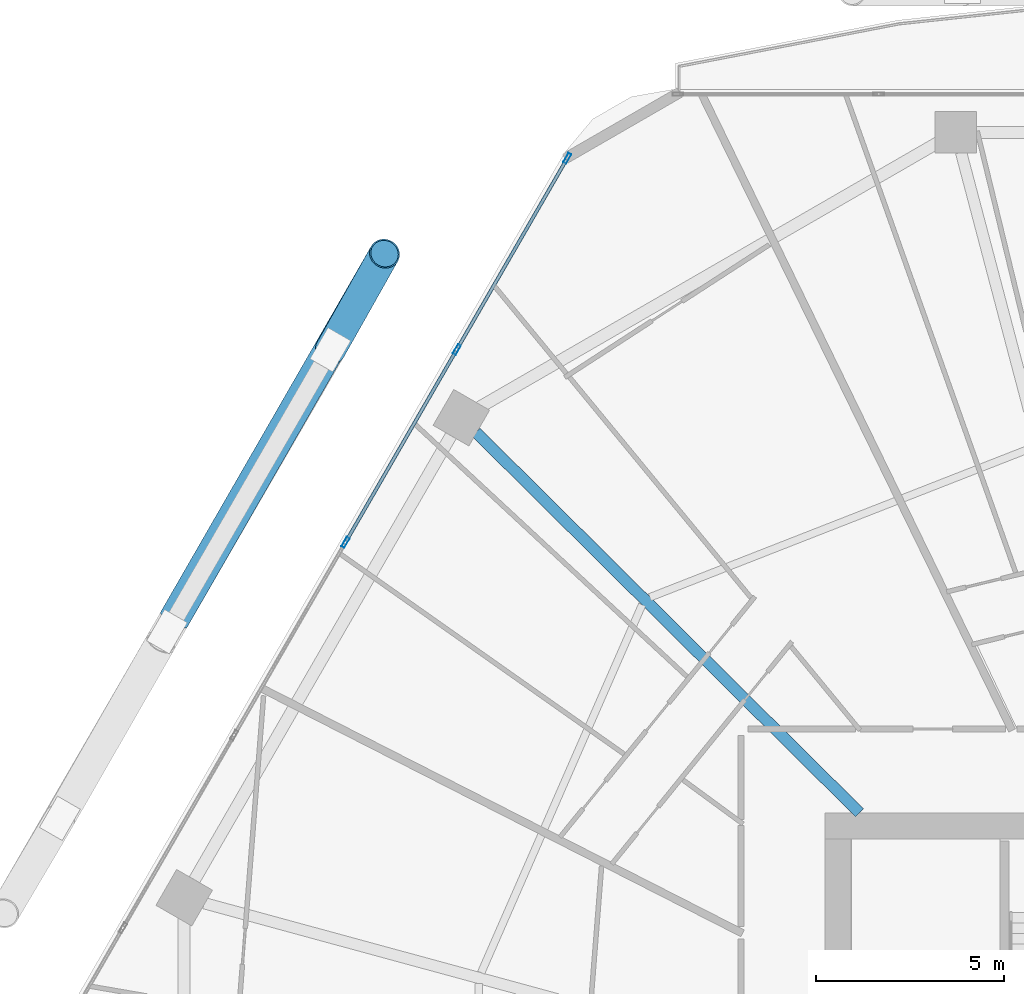
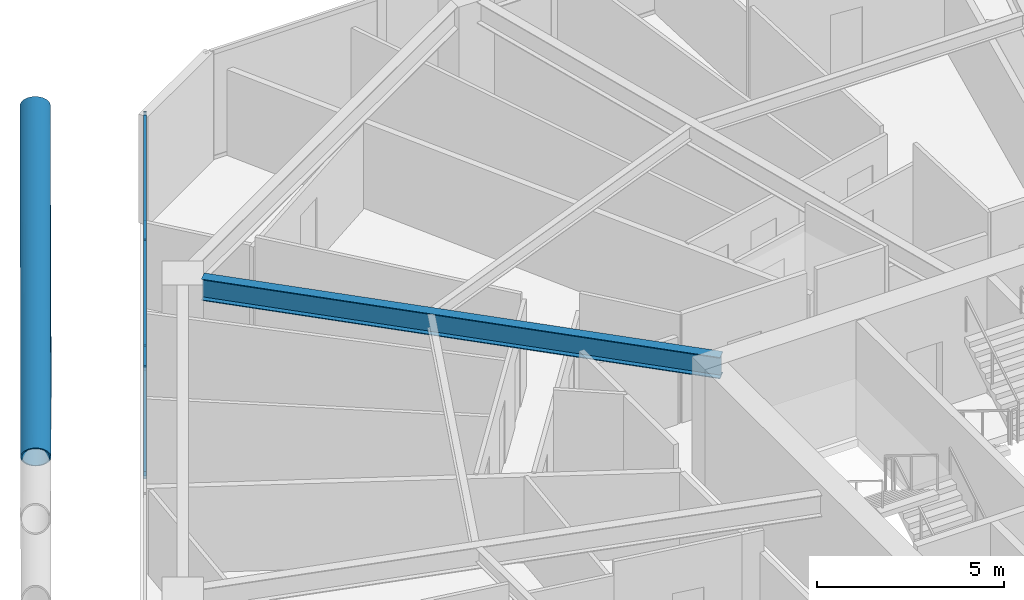
# One storey, part 16 of 35: 9 members, 1 beam, 1 element without a shape of its own.
"""IFC4 building model written with IfcOpenShell, lengths in metres."""

import ifcopenshell
import ifcopenshell.guid

model = None  # the IFC model being written
_history = None  # IfcOwnerHistory: only IFC2X3 demands one
_inside = {}  # id of a spatial element -> (the spatial element, [elements in it])
_under = {}  # id of a project, library or spatial element -> (it, [spatial elements below it])
_declared = {}  # id of a project -> (the project, [libraries it declares])
_typed = {}  # id of a type object -> (the type object, [elements of that type])
_made_of = {}  # id of a material, layer set ... -> (it, [elements and type objects made of it])


def new_model(schema):
    """Start an empty IFC model of exactly this schema.

    Asked for "IFC4X3", IfcOpenShell would pick the latest addendum, in which some entities
    have other attributes; the version numbers below select the first issue.
    IFC2X3 requires an IfcOwnerHistory on every rooted entity: one is made here for all.
    """
    global model, _history
    if schema == "IFC4X3":
        model = ifcopenshell.file(schema_version=(4, 3, 0, 0))
    else:
        model = ifcopenshell.file(schema=schema)
    _inside.clear()
    _under.clear()
    _declared.clear()
    _typed.clear()
    _made_of.clear()
    _history = None
    if model.schema == "IFC2X3":
        org = make("IfcOrganization", Name="unknown")
        user = make(
            "IfcPersonAndOrganization",
            ThePerson=make("IfcPerson", FamilyName="unknown"),
            TheOrganization=org,
        )
        app = make(
            "IfcApplication",
            ApplicationDeveloper=org,
            Version="unknown",
            ApplicationFullName="unknown",
            ApplicationIdentifier="unknown",
        )
        _history = make(
            "IfcOwnerHistory",
            OwningUser=user,
            OwningApplication=app,
            ChangeAction="ADDED",
            CreationDate=0,
        )
    return model


def make(cls, **values):
    """One entity of the class cls with the attributes given. An attribute that is None is left unset."""
    return model.create_entity(
        cls, **{name: value for name, value in values.items() if value is not None}
    )


def rooted(cls, **values):
    """An entity with a GlobalId (a new one), such as an element, a storey or a relation."""
    return make(cls, GlobalId=ifcopenshell.guid.new(), OwnerHistory=_history, **values)


def si_unit(unit_type, name, prefix=None):
    """IfcSIUnit, for example si_unit("LENGTHUNIT", "METRE", prefix="MILLI")."""
    return make("IfcSIUnit", UnitType=unit_type, Prefix=prefix, Name=name)


def assignment(units):
    """IfcUnitAssignment: the units of a project."""
    return None if units is None else make("IfcUnitAssignment", Units=units)


def point(xyz):
    """IfcCartesianPoint."""
    return None if xyz is None else make("IfcCartesianPoint", Coordinates=xyz)


def direction(xyz):
    """IfcDirection."""
    return None if xyz is None else make("IfcDirection", DirectionRatios=xyz)


def frame(location, z_axis=None, x_axis=None):
    """IfcAxis2Placement3D, a coordinate frame: its origin and axes. An axis left out is left unset."""
    return make(
        "IfcAxis2Placement3D",
        Location=point(location),
        Axis=direction(z_axis),
        RefDirection=direction(x_axis),
    )


def frame_2d(location, x_axis=None):
    """IfcAxis2Placement2D, a coordinate frame in the plane: its origin and x axis."""
    return make(
        "IfcAxis2Placement2D", Location=point(location), RefDirection=direction(x_axis)
    )


def origin():
    """The frame at (0, 0, 0) with its axes left unset."""
    return frame((0.0, 0.0, 0.0))


def origin_2d():
    """The frame at (0, 0) in the plane with its x axis left unset."""
    return frame_2d((0.0, 0.0))


def place(relative_to, where):
    """IfcLocalPlacement: puts the frame where relative to a parent placement (None: the world)."""
    return make(
        "IfcLocalPlacement", PlacementRelTo=relative_to, RelativePlacement=where
    )


def context(
    kind, dimensions, precision=None, world=None, true_north=None, identifier=None
):
    """IfcGeometricRepresentationContext, for example the 3D "Model" context."""
    return make(
        "IfcGeometricRepresentationContext",
        ContextIdentifier=identifier,
        ContextType=kind,
        CoordinateSpaceDimension=dimensions,
        Precision=precision,
        WorldCoordinateSystem=world,
        TrueNorth=true_north,
    )


def subcontext(parent, identifier, kind, view, scale=None):
    """IfcGeometricRepresentationSubContext, for example "Body" below "Model"."""
    return make(
        "IfcGeometricRepresentationSubContext",
        ContextIdentifier=identifier,
        ContextType=kind,
        ParentContext=parent,
        TargetScale=scale,
        TargetView=view,
    )


def project(units=None, contexts=None):
    """IfcProject with its units and contexts."""
    return rooted(
        "IfcProject",
        Name="project",
        RepresentationContexts=contexts,
        UnitsInContext=assignment(units),
    )


def spatial(cls, under=None, at=None, **own):
    """A site, building, storey or space (cls), placed at a placement, below another one or the project."""
    s = rooted(cls, ObjectPlacement=at, **own)
    if under is not None:
        _under.setdefault(under.id(), (under, []))[1].append(s)
    return s


def profile(cls, at=None, kind="AREA", **sizes):
    """A parametric profile (cls). Its sizes go by their IFC names, for example OverallWidth=200.0."""
    return make(cls, ProfileType=kind, Position=at, **sizes)


def hollow_rectangle(**sizes):
    """IfcRectangleHollowProfileDef."""
    return profile("IfcRectangleHollowProfileDef", **sizes)


def hollow_circle(**sizes):
    """IfcCircleHollowProfileDef."""
    return profile("IfcCircleHollowProfileDef", **sizes)


def i_section(**sizes):
    """IfcIShapeProfileDef."""
    return profile("IfcIShapeProfileDef", **sizes)


def extrude(swept, where, along, depth):
    """IfcExtrudedAreaSolid: the profile swept, set in the frame where, extruded along a direction by depth."""
    return make(
        "IfcExtrudedAreaSolid",
        SweptArea=swept,
        Position=where,
        ExtrudedDirection=direction(along),
        Depth=depth,
    )


def shape(context_of_items, identifier, shape_type, items):
    """IfcShapeRepresentation: the items that make up one representation, for example the "Body"."""
    return make(
        "IfcShapeRepresentation",
        ContextOfItems=context_of_items,
        RepresentationIdentifier=identifier,
        RepresentationType=shape_type,
        Items=items,
    )


def material(Name=None, Category=None):
    """IfcMaterial."""
    return make("IfcMaterial", Name=Name, Category=Category)


def material_profile(
    of_material, cross_section, Name=None, Category=None, Priority=None
):
    """IfcMaterialProfile: a cross section and its material."""
    return make(
        "IfcMaterialProfile",
        Name=Name,
        Material=of_material,
        Profile=cross_section,
        Priority=Priority,
        Category=Category,
    )


def profile_set(profiles, Name=None, composite=None):
    """IfcMaterialProfileSet."""
    return make(
        "IfcMaterialProfileSet",
        Name=Name,
        MaterialProfiles=profiles,
        CompositeProfile=composite,
    )


def made_of(thing, what):
    """Note that an element or type object is made of a material, layer set ...; save() writes the relation."""
    if what is not None:
        _made_of.setdefault(what.id(), (what, []))[1].append(thing)
    return thing


def type_object(cls, material=None, **own):
    """A type object (cls), such as IfcWallType, which elements share."""
    return made_of(rooted(cls, **own), material)


def element(
    cls,
    number,
    at=None,
    inside=None,
    cuts=None,
    type_object=None,
    material=None,
    context=None,
    identifier="Body",
    shape_type=None,
    held_by="IfcProductDefinitionShape",
    body=None,
    shapes=None,
    **own,
):
    """One element of the class cls, such as IfcWall. Its Tag is "e" and its number.

    at: its placement. inside: the storey or other place that contains it. cuts: it is an
    opening in that element (IfcRelVoidsElement). A single representation is given by context,
    identifier, shape_type and body (its items); several are given by shapes. held_by: the class
    of the entity that holds the representations. save() writes the other relations.
    """
    e = rooted(cls, Tag="e%d" % number, ObjectPlacement=at, **own)
    if body is not None:
        shapes = [shape(context, identifier, shape_type, body)]
    if shapes is not None:
        e.Representation = make(held_by, Representations=shapes)
    if inside is not None:
        _inside.setdefault(inside.id(), (inside, []))[1].append(e)
    if cuts is not None:
        rooted(
            "IfcRelVoidsElement", RelatingBuildingElement=cuts, RelatedOpeningElement=e
        )
    if type_object is not None:
        _typed.setdefault(type_object.id(), (type_object, []))[1].append(e)
    return made_of(e, material)


def aggregate(whole, parts):
    """IfcRelAggregates: a whole, such as a stair, and the parts it consists of."""
    return rooted("IfcRelAggregates", RelatingObject=whole, RelatedObjects=parts)


def save(model, path):
    """Write the relations noted so far, then the file.

    IfcRelAggregates (storeys below a building ...), IfcRelContainedInSpatialStructure (elements
    in a storey), IfcRelDefinesByType, IfcRelAssociatesMaterial and IfcRelDeclares: one each for
    every whole, place, type object, material and project.
    """
    for whole, parts in _under.values():
        aggregate(whole, parts)
    for where, things in _inside.values():
        rooted(
            "IfcRelContainedInSpatialStructure",
            RelatedElements=things,
            RelatingStructure=where,
        )
    for kind, things in _typed.values():
        rooted("IfcRelDefinesByType", RelatedObjects=things, RelatingType=kind)
    for what, things in _made_of.values():
        rooted("IfcRelAssociatesMaterial", RelatedObjects=things, RelatingMaterial=what)
    for by, libraries in _declared.values():
        rooted("IfcRelDeclares", RelatingContext=by, RelatedDefinitions=libraries)
    model.write(path)


model = new_model("IFC4")

# Units and contexts
model_context = context("Model", 3, precision=1e-05, world=origin(), true_north=direction((0.0, 1.0)))
body_context = subcontext(model_context, "Body", "Model", "MODEL_VIEW")
ifc_project = project(units=[si_unit("LENGTHUNIT", "METRE"), si_unit("AREAUNIT", "SQUARE_METRE"), si_unit("VOLUMEUNIT", "CUBIC_METRE"), si_unit("PLANEANGLEUNIT", "RADIAN"), si_unit("MASSUNIT", "GRAM", prefix="KILO")], contexts=[model_context])

# Site, building, storey
site_placement = place(None, origin())
site = spatial("IfcSite", under=ifc_project, at=site_placement, CompositionType="ELEMENT")
building_placement = place(site_placement, origin())
building = spatial("IfcBuilding", under=site, at=building_placement, Name="Zuhravey Tower", CompositionType="ELEMENT")
storey_placement = place(building_placement, frame((0.0, 0.0, 115.199951171875)))
storey = spatial("IfcBuildingStorey", under=building, at=storey_placement, Name="L28", CompositionType="ELEMENT", Elevation=115.199951171875)

# Curtain wall, members
ifc_material_1 = material(Name="Thermally broken anodised aluminium", Category="aluminium")
curtain_wall_type = type_object("IfcCurtainWallType", Name="Zone 1-2 Residential Curtain Wall CW3", PredefinedType="NOTDEFINED", material=ifc_material_1)
curtain_wall_placement = place(storey_placement, origin())
curtain_wall = element("IfcCurtainWall", 1, at=curtain_wall_placement, inside=storey, type_object=curtain_wall_type, Name="L28 CW3 CW-L28-F3-1", PredefinedType="NOTDEFINED")
ifc_material_2 = material(Name="Anodised aluminium", Category="aluminium")
ifc_material_profile_1 = material_profile(ifc_material_2, hollow_rectangle(XDim=0.090087890625, YDim=0.284912109375, WallThickness=0.0048828125, at=origin_2d()), Name="ALU-RHS-90x285x5")
ifc_profile_set_1 = profile_set([ifc_material_profile_1], Name="Anodised aluminium")
member_type_1 = type_object("IfcMemberType", Name="Curtain-Wall Mullion 90x180", PredefinedType="MULLION", material=ifc_profile_set_1)
member_1_placement = place(storey_placement, frame((12.401123046875, 49.04248046875, 0.0), z_axis=(0.0, 0.0, 1.0), x_axis=(-0.86602552265, 0.499999794119, 0.0)))
member_1 = element("IfcMember", 2, at=member_1_placement, type_object=member_type_1, Name="CW3 mullion 4", PredefinedType="MULLION", context=body_context, shape_type="SweptSolid", body=[
    extrude(hollow_rectangle(XDim=0.090087890625, YDim=0.284912109375, WallThickness=0.0048828125, at=origin_2d()), origin(), (0.0, 0.0, 1.0), 3.550048828125),
])
member_2_placement = place(storey_placement, frame((15.361083984375, 54.169189453125, 0.0), z_axis=(0.0, 0.0, 1.0), x_axis=(-0.86602552265, 0.499999794119, 0.0)))
member_2 = element("IfcMember", 3, at=member_2_placement, type_object=member_type_1, Name="CW3 mullion 5", PredefinedType="MULLION", context=body_context, shape_type="SweptSolid", body=[
    extrude(hollow_rectangle(XDim=0.090087890625, YDim=0.284912109375, WallThickness=0.0048828125, at=origin_2d()), origin(), (0.0, 0.0, 1.0), 3.550048828125),
])
member_3_placement = place(storey_placement, frame((18.298583984375, 59.257080078125, 0.0), z_axis=(0.0, 0.0, 1.0), x_axis=(-0.86602552265, 0.499999794119, 0.0)))
member_3 = element("IfcMember", 4, at=member_3_placement, type_object=member_type_1, Name="CW3 mullion 6", PredefinedType="MULLION", context=body_context, shape_type="SweptSolid", body=[
    extrude(hollow_rectangle(XDim=0.090087890625, YDim=0.284912109375, WallThickness=0.0048828125, at=origin_2d()), origin(), (0.0, 0.0, 1.0), 3.550048828125),
])
ifc_material_profile_2 = material_profile(ifc_material_2, hollow_rectangle(XDim=0.090087890625, YDim=0.14990234375, WallThickness=0.0048828125, at=origin_2d()), Name="ALU-RHS-90x150x5")
ifc_profile_set_2 = profile_set([ifc_material_profile_2], Name="Anodised aluminium")
member_type_2 = type_object("IfcMemberType", Name="Curtain-Wall Transom 90x150", PredefinedType="USERDEFINED", material=ifc_profile_set_2)
member_4_placement = place(storey_placement, frame((12.423583984375, 49.08154296875, 0.045166015625), z_axis=(0.500012451049, 0.866018215049, 0.0), x_axis=(-0.866018215049, 0.500012451049, 0.0)))
member_4 = element("IfcMember", 5, at=member_4_placement, type_object=member_type_2, Name="CW3 transom 4.1", ObjectType="TRANSOM", PredefinedType="USERDEFINED", context=body_context, shape_type="SweptSolid", body=[
    extrude(hollow_rectangle(XDim=0.090087890625, YDim=0.14990234375, WallThickness=0.0048828125, at=origin_2d()), origin(), (0.0, 0.0, 1.0), 5.829833984375),
])
member_5_placement = place(storey_placement, frame((12.423583984375, 49.08154296875, 3.505126953125), z_axis=(0.500012451049, 0.866018215049, 0.0), x_axis=(-0.866018215049, 0.500012451049, 0.0)))
member_5 = element("IfcMember", 6, at=member_5_placement, type_object=member_type_2, Name="CW3 transom 4.2", ObjectType="TRANSOM", PredefinedType="USERDEFINED", context=body_context, shape_type="SweptSolid", body=[
    extrude(hollow_rectangle(XDim=0.090087890625, YDim=0.14990234375, WallThickness=0.0048828125, at=origin_2d()), origin(), (0.0, 0.0, 1.0), 5.829833984375),
])
member_6_placement = place(storey_placement, frame((15.383544921875, 54.208251953125, 0.045166015625), z_axis=(0.499992798144, 0.866029561738, 0.0), x_axis=(-0.866029561738, 0.499992798144, 0.0)))
member_6 = element("IfcMember", 7, at=member_6_placement, type_object=member_type_2, Name="CW3 transom 5.1", ObjectType="TRANSOM", PredefinedType="USERDEFINED", context=body_context, shape_type="SweptSolid", body=[
    extrude(hollow_rectangle(XDim=0.090087890625, YDim=0.14990234375, WallThickness=0.0048828125, at=origin_2d()), origin(), (0.0, 0.0, 1.0), 5.78466796875),
])
member_7_placement = place(storey_placement, frame((15.383544921875, 54.208251953125, 3.505126953125), z_axis=(0.499992798144, 0.866029561738, 0.0), x_axis=(-0.866029561738, 0.499992798144, 0.0)))
member_7 = element("IfcMember", 8, at=member_7_placement, type_object=member_type_2, Name="CW3 transom 5.2", ObjectType="TRANSOM", PredefinedType="USERDEFINED", context=body_context, shape_type="SweptSolid", body=[
    extrude(hollow_rectangle(XDim=0.090087890625, YDim=0.14990234375, WallThickness=0.0048828125, at=origin_2d()), origin(), (0.0, 0.0, 1.0), 5.78466796875),
])
aggregate(curtain_wall, [member_1, member_2, member_3, member_4, member_5, member_6, member_7])

# Members
ifc_material_3 = material(Name="Steel SM460", Category="steel")
ifc_material_profile_3 = material_profile(ifc_material_3, hollow_circle(Radius=0.406494140625, WallThickness=0.035888671875, at=origin_2d()), Name="CHS-812.8x36")
ifc_profile_set_3 = profile_set([ifc_material_profile_3], Name="Steel SM460")
member_type_3 = type_object("IfcMemberType", Name="Exoskeleton Zone 1 Diagrid CHS813x36", PredefinedType="BRACE", material=ifc_profile_set_3)
member_8_placement = place(storey_placement, frame((12.002197265625, 54.171630859375, -0.44189453125), z_axis=(0.177350373779, 0.314566412207, 0.932520679252), x_axis=(-0.871093800556, 0.49111667721, 0.0)))
element("IfcMember", 9, at=member_8_placement, inside=storey, type_object=member_type_3, Name="L28 Face 3 Diagrid Brace 1", PredefinedType="BRACE", context=body_context, shape_type="SweptSolid", body=[
    extrude(hollow_circle(Radius=0.406494140625, WallThickness=0.035888671875, at=origin_2d()), origin(), (0.0, 0.0, 1.0), 8.102783203125),
])
member_9_placement = place(storey_placement, frame((7.84033203125, 46.993896484375, 3.45947265625), z_axis=(0.474119789758, 0.823670021727, 0.311091819676), x_axis=(-0.866674532719, 0.498873986429, 0.0)))
element("IfcMember", 10, at=member_9_placement, inside=storey, type_object=member_type_3, Name="L28 Face 3 Split Diagrid Brace 3B", PredefinedType="BRACE", context=body_context, shape_type="SweptSolid", body=[
    extrude(hollow_circle(Radius=0.406494140625, WallThickness=0.035888671875, at=origin_2d()), origin(), (0.0, 0.0, 1.0), 11.76318359375),
])

# Beam
ifc_material_4 = material(Name="Steel SM355", Category="steel")
ifc_material_profile_4 = material_profile(ifc_material_4, i_section(OverallWidth=0.300048828125, OverallDepth=0.699951171875, WebThickness=0.012939453125, FlangeThickness=0.02392578125, at=origin_2d()), Name="H-700x300x13x24")
ifc_profile_set_4 = profile_set([ifc_material_profile_4], Name="Steel SM355")
beam_type = type_object("IfcBeamType", Name="Radial Primary Girder H700x300", PredefinedType="BEAM", material=ifc_profile_set_4)
beam_placement = place(storey_placement, frame((26.068603515625, 41.85302734375, 3.199951171875), z_axis=(-0.709906230344, 0.704296204816, 0.0), x_axis=(-0.704296204816, -0.709906230344, 0.0)))
element("IfcBeam", 11, at=beam_placement, inside=storey, type_object=beam_type, Name="L28 RG1 BM-L28-RAD-05", PredefinedType="BEAM", context=body_context, shape_type="SweptSolid", body=[
    extrude(i_section(OverallWidth=0.300048828125, OverallDepth=0.699951171875, WebThickness=0.012939453125, FlangeThickness=0.02392578125, at=origin_2d()), origin(), (0.0, 0.0, 1.0), 14.361083984375),
])

save(model, "model.ifc")
